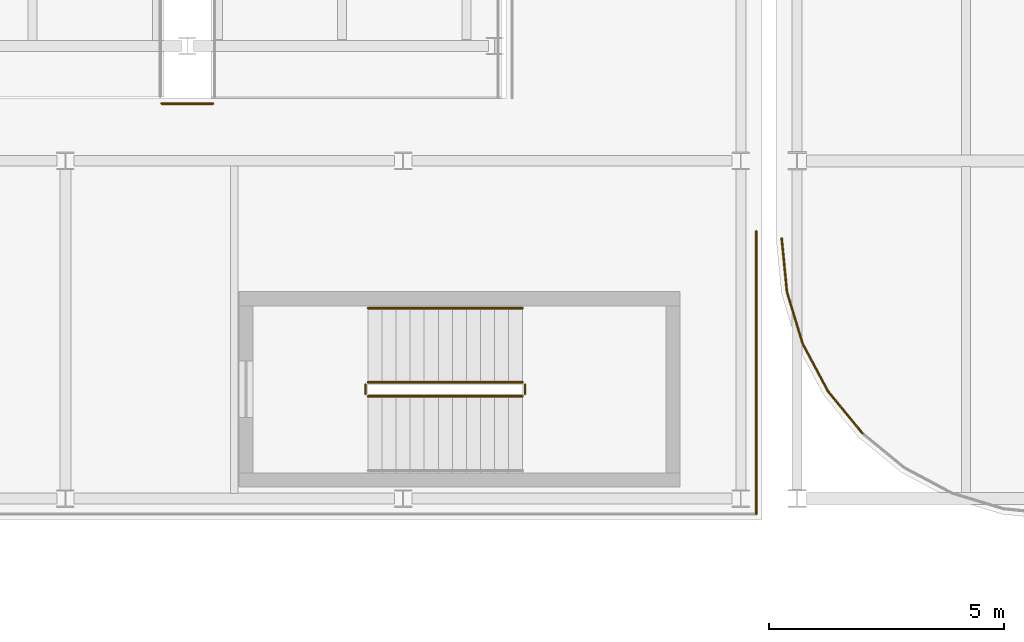
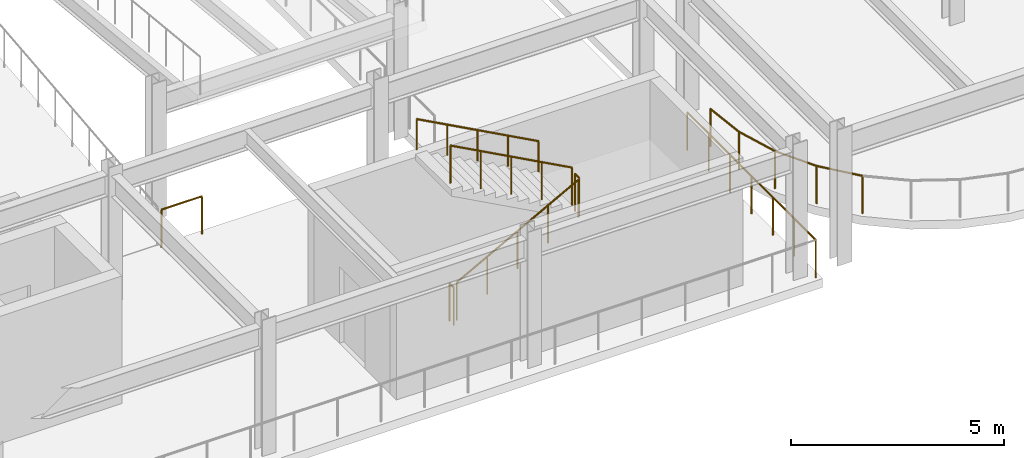
# One storey, part 78 of 93: 11 railings.
"""IFC4 building model written with IfcOpenShell, lengths in metres."""

from ifc_helpers import new_model, si_unit, direction, frame, origin, origin_2d, place, context, subcontext, project, spatial, circle, extrude, material, layer, layer_set, type_object, element, save


model = new_model("IFC4")

# Units and contexts
model_context = context("Model", 3, precision=1e-05, world=origin(), true_north=direction((0.0, 1.0)))
body_context = subcontext(model_context, "Body", "Model", "MODEL_VIEW")
ifc_project = project(units=[si_unit("LENGTHUNIT", "METRE"), si_unit("AREAUNIT", "SQUARE_METRE"), si_unit("VOLUMEUNIT", "CUBIC_METRE"), si_unit("PLANEANGLEUNIT", "RADIAN"), si_unit("MASSUNIT", "GRAM", prefix="KILO")], contexts=[model_context])

# Site, building, storey
site_placement = place(None, origin())
site = spatial("IfcSite", under=ifc_project, at=site_placement, CompositionType="ELEMENT")
building_placement = place(site_placement, origin())
building = spatial("IfcBuilding", under=site, at=building_placement, Name="Vaelcorin Mobility Hub", CompositionType="ELEMENT")
storey_placement = place(building_placement, frame((0.0, 0.0, 5.39990234375)))
storey = spatial("IfcBuildingStorey", under=building, at=storey_placement, Name="L01", CompositionType="ELEMENT", Elevation=5.39990234375)

# Railings
ifc_material_1 = material(Name="Galvanised structural steel ASTM A36", Category="steel")
ifc_layer_1 = layer(ifc_material_1, 0.070068359375)
ifc_layer_set_1 = layer_set([ifc_layer_1], Name="Galvanised structural steel ASTM A36")
railing_type_1 = type_object("IfcRailingType", Name="RL-GUARD-1100", PredefinedType="BALUSTRADE", material=ifc_layer_set_1)
railing_1_placement = place(storey_placement, frame((35.669921875, 82.35009765625, 0.0)))
element("IfcRailing", 1, at=railing_1_placement, inside=storey, type_object=railing_type_1, Name="L01 Perimeter Guard GR-V4-L01-S-01-01", PredefinedType="BALUSTRADE", context=body_context, shape_type="SweptSolid", body=[
    extrude(circle(Radius=0.02392578125, at=origin_2d()), frame((0.0, 0.0, 1.076171875), z_axis=(0.098056761291, -0.995180823552, 0.0), x_axis=(0.995180823552, 0.098056761291, 0.0)), (0.0, 0.0, 1.0), 1.15283203125),
    extrude(circle(Radius=0.02099609375, at=origin_2d()), origin(), (0.0, 0.0, 1.0), 1.052001953125),
    extrude(circle(Radius=0.02099609375, at=origin_2d()), frame((0.113037109375, -1.147216796875, 0.0)), (0.0, 0.0, 1.0), 1.052001953125),
])
railing_2_placement = place(storey_placement, frame((35.782958984375, 81.202880859375, 0.0)))
element("IfcRailing", 2, at=railing_2_placement, inside=storey, type_object=railing_type_1, Name="L01 Perimeter Guard GR-V4-L01-S-01-02", PredefinedType="BALUSTRADE", context=body_context, shape_type="SweptSolid", body=[
    extrude(circle(Radius=0.02392578125, at=origin_2d()), frame((0.0, 0.0, 1.076171875), z_axis=(0.290630530394, -0.956835354073, 0.0), x_axis=(0.956835354073, 0.290630530394, 0.0)), (0.0, 0.0, 1.0), 1.152587890625),
    extrude(circle(Radius=0.02099609375, at=origin_2d()), origin(), (0.0, 0.0, 1.0), 1.052001953125),
    extrude(circle(Radius=0.02099609375, at=origin_2d()), frame((0.3349609375, -1.102783203125, 0.0)), (0.0, 0.0, 1.0), 1.052001953125),
])
railing_3_placement = place(storey_placement, frame((36.117919921875, 80.10009765625, 0.0)))
element("IfcRailing", 3, at=railing_3_placement, inside=storey, type_object=railing_type_1, Name="L01 Perimeter Guard GR-V4-L01-S-01-03", PredefinedType="BALUSTRADE", context=body_context, shape_type="SweptSolid", body=[
    extrude(circle(Radius=0.02392578125, at=origin_2d()), frame((0.0, 0.0, 1.076171875), z_axis=(0.470939899312, -0.882165297003, 0.0), x_axis=(0.882165297003, 0.470939899312, 0.0)), (0.0, 0.0, 1.0), 1.15283203125),
    extrude(circle(Radius=0.02099609375, at=origin_2d()), origin(), (0.0, 0.0, 1.0), 1.052001953125),
    extrude(circle(Radius=0.02099609375, at=origin_2d()), frame((0.54296875, -1.01708984375, 0.0)), (0.0, 0.0, 1.0), 1.052001953125),
])
railing_4_placement = place(storey_placement, frame((36.660888671875, 79.0830078125, 0.0)))
element("IfcRailing", 4, at=railing_4_placement, inside=storey, type_object=railing_type_1, Name="L01 Perimeter Guard GR-V4-L01-S-01-04", PredefinedType="BALUSTRADE", context=body_context, shape_type="SweptSolid", body=[
    extrude(circle(Radius=0.02392578125, at=origin_2d()), frame((0.0, 0.0, 1.076171875), z_axis=(0.63433283962, -0.773060054963, 0.0), x_axis=(0.773060054963, 0.63433283962, 0.0)), (0.0, 0.0, 1.0), 1.152587890625),
    extrude(circle(Radius=0.02099609375, at=origin_2d()), origin(), (0.0, 0.0, 1.0), 1.052001953125),
    extrude(circle(Radius=0.02099609375, at=origin_2d()), frame((0.731201171875, -0.89111328125, 0.0)), (0.0, 0.0, 1.0), 1.052001953125),
])
railing_5_placement = place(storey_placement, frame((22.449951171875, 85.219970703125, 0.0)))
element("IfcRailing", 5, at=railing_5_placement, inside=storey, type_object=railing_type_1, Name="L01 Perimeter Guard GR-V2W-L01-WELL-MED-01", PredefinedType="BALUSTRADE", context=body_context, shape_type="SweptSolid", body=[
    extrude(circle(Radius=0.02392578125, at=origin_2d()), frame((0.0, 0.0, 1.076171875), z_axis=(1.0, 0.0, 0.0), x_axis=(0.0, 1.0, 0.0)), (0.0, 0.0, 1.0), 1.10009765625),
    extrude(circle(Radius=0.02099609375, at=origin_2d()), origin(), (0.0, 0.0, 1.0), 1.052001953125),
    extrude(circle(Radius=0.02099609375, at=origin_2d()), frame((1.10009765625, 0.0, 0.0)), (0.0, 0.0, 1.0), 1.052001953125),
])
railing_6_placement = place(storey_placement, frame((35.1298828125, 82.5, 0.0)))
element("IfcRailing", 6, at=railing_6_placement, inside=storey, type_object=railing_type_1, Name="L01 Perimeter Guard GR-V2W-L01-01", PredefinedType="BALUSTRADE", context=body_context, shape_type="SweptSolid", body=[
    extrude(circle(Radius=0.02392578125, at=origin_2d()), frame((0.0, 0.0, 1.076171875), z_axis=(0.0, -1.0, 0.0), x_axis=(1.0, 0.0, 0.0)), (0.0, 0.0, 1.0), 6.030029296875),
    extrude(circle(Radius=0.02099609375, at=origin_2d()), origin(), (0.0, 0.0, 1.0), 1.052001953125),
    extrude(circle(Radius=0.02099609375, at=origin_2d()), frame((0.0, -1.0048828125, 0.0)), (0.0, 0.0, 1.0), 1.052001953125),
    extrude(circle(Radius=0.02099609375, at=origin_2d()), frame((0.0, -2.010009765625, 0.0)), (0.0, 0.0, 1.0), 1.052001953125),
    extrude(circle(Radius=0.02099609375, at=origin_2d()), frame((0.0, -3.01513671875, 0.0)), (0.0, 0.0, 1.0), 1.052001953125),
    extrude(circle(Radius=0.02099609375, at=origin_2d()), frame((0.0, -4.02001953125, 0.0)), (0.0, 0.0, 1.0), 1.052001953125),
    extrude(circle(Radius=0.02099609375, at=origin_2d()), frame((0.0, -5.02490234375, 0.0)), (0.0, 0.0, 1.0), 1.052001953125),
    extrude(circle(Radius=0.02099609375, at=origin_2d()), frame((0.0, -6.030029296875, 0.0)), (0.0, 0.0, 1.0), 1.052001953125),
])
ifc_material_2 = material(Name="Brushed stainless steel 316L", Category="steel")
ifc_layer_2 = layer(ifc_material_2, 0.048095703125)
ifc_layer_set_2 = layer_set([ifc_layer_2], Name="Brushed stainless steel 316L")
railing_type_2 = type_object("IfcRailingType", Name="RL-STAIR-GRD", PredefinedType="GUARDRAIL", material=ifc_layer_set_2)
railing_7_placement = place(storey_placement, frame((26.85009765625, 78.97998046875, 0.16259765625)))
element("IfcRailing", 7, at=railing_7_placement, inside=storey, type_object=railing_type_2, Name="L01 ST1 stair guard 1", PredefinedType="GUARDRAIL", context=body_context, shape_type="SweptSolid", body=[
    extrude(circle(Radius=0.02392578125, at=origin_2d()), frame((0.0, 0.0, 1.076171875), z_axis=(0.879269262144, 0.0, 0.476325061958), x_axis=(0.0, 1.0, 0.0)), (0.0, 0.0, 1.0), 3.7529296875),
    extrude(circle(Radius=0.02099609375, at=origin_2d()), origin(), (0.0, 0.0, 1.0), 1.052001953125),
    extrude(circle(Radius=0.02099609375, at=origin_2d()), frame((0.824951171875, 0.0, 0.44677734375)), (0.0, 0.0, 1.0), 1.052001953125),
    extrude(circle(Radius=0.02099609375, at=origin_2d()), frame((1.64990234375, 0.0, 0.893798828125)), (0.0, 0.0, 1.0), 1.052001953125),
    extrude(circle(Radius=0.02099609375, at=origin_2d()), frame((2.474853515625, 0.0, 1.3408203125)), (0.0, 0.0, 1.0), 1.052001953125),
    extrude(circle(Radius=0.02099609375, at=origin_2d()), frame((3.2998046875, 0.0, 1.78759765625)), (0.0, 0.0, 1.0), 1.052001953125),
])
railing_8_placement = place(storey_placement, frame((30.199951171875, 79.030029296875, 1.9501953125)))
element("IfcRailing", 8, at=railing_8_placement, inside=storey, type_object=railing_type_2, Name="L01 ST1 stair guard 2", PredefinedType="GUARDRAIL", context=body_context, shape_type="SweptSolid", body=[
    extrude(circle(Radius=0.02392578125, at=origin_2d()), frame((0.0, 0.0, 1.076171875), z_axis=(0.0, 1.0, 0.0), x_axis=(-1.0, 0.0, 0.0)), (0.0, 0.0, 1.0), 0.199951171875),
    extrude(circle(Radius=0.02099609375, at=origin_2d()), origin(), (0.0, 0.0, 1.0), 1.052001953125),
    extrude(circle(Radius=0.02099609375, at=origin_2d()), frame((0.0, 0.199951171875, 0.0)), (0.0, 0.0, 1.0), 1.052001953125),
])
railing_9_placement = place(storey_placement, frame((30.14990234375, 79.280029296875, 2.112548828125)))
element("IfcRailing", 9, at=railing_9_placement, inside=storey, type_object=railing_type_2, Name="L01 ST1 stair guard 3", PredefinedType="GUARDRAIL", context=body_context, shape_type="SweptSolid", body=[
    extrude(circle(Radius=0.02392578125, at=origin_2d()), frame((0.0, 0.0, 1.076171875), z_axis=(-0.879269262144, 0.0, 0.476325061958), x_axis=(0.0, -1.0, 0.0)), (0.0, 0.0, 1.0), 3.7529296875),
    extrude(circle(Radius=0.02099609375, at=origin_2d()), origin(), (0.0, 0.0, 1.0), 1.052001953125),
    extrude(circle(Radius=0.02099609375, at=origin_2d()), frame((-0.824951171875, 0.0, 0.44677734375)), (0.0, 0.0, 1.0), 1.052001953125),
    extrude(circle(Radius=0.02099609375, at=origin_2d()), frame((-1.64990234375, 0.0, 0.893798828125)), (0.0, 0.0, 1.0), 1.052001953125),
    extrude(circle(Radius=0.02099609375, at=origin_2d()), frame((-2.474853515625, 0.0, 1.3408203125)), (0.0, 0.0, 1.0), 1.052001953125),
    extrude(circle(Radius=0.02099609375, at=origin_2d()), frame((-3.2998046875, 0.0, 1.78759765625)), (0.0, 0.0, 1.0), 1.052001953125),
])
railing_10_placement = place(storey_placement, frame((26.800048828125, 79.030029296875, 0.0)))
element("IfcRailing", 10, at=railing_10_placement, inside=storey, type_object=railing_type_2, Name="L01 ST1 stair guard 4", PredefinedType="GUARDRAIL", context=body_context, shape_type="SweptSolid", body=[
    extrude(circle(Radius=0.02392578125, at=origin_2d()), frame((0.0, 0.0, 1.076171875), z_axis=(0.0, 1.0, 0.0), x_axis=(-1.0, 0.0, 0.0)), (0.0, 0.0, 1.0), 0.199951171875),
    extrude(circle(Radius=0.02099609375, at=origin_2d()), origin(), (0.0, 0.0, 1.0), 1.052001953125),
    extrude(circle(Radius=0.02099609375, at=origin_2d()), frame((0.0, 0.199951171875, 0.0)), (0.0, 0.0, 1.0), 1.052001953125),
])
ifc_layer_3 = layer(ifc_material_2, 0.048095703125)
ifc_layer_set_3 = layer_set([ifc_layer_3], Name="Brushed stainless steel 316L")
railing_type_3 = type_object("IfcRailingType", Name="RL-STAIR-HR", PredefinedType="HANDRAIL", material=ifc_layer_set_3)
railing_11_placement = place(storey_placement, frame((30.14990234375, 80.860107421875, 2.112548828125)))
element("IfcRailing", 11, at=railing_11_placement, inside=storey, type_object=railing_type_3, Name="L01 ST1 stair handrail 2", PredefinedType="HANDRAIL", context=body_context, shape_type="SweptSolid", body=[
    extrude(circle(Radius=0.02392578125, at=origin_2d()), frame((0.0, 0.0, 0.8759765625), z_axis=(-0.879269262144, 0.0, 0.476325061958), x_axis=(0.0, -1.0, 0.0)), (0.0, 0.0, 1.0), 3.7529296875),
    extrude(circle(Radius=0.02099609375, at=origin_2d()), origin(), (0.0, 0.0, 1.0), 0.851806640625),
    extrude(circle(Radius=0.02099609375, at=origin_2d()), frame((-0.824951171875, 0.0, 0.44677734375)), (0.0, 0.0, 1.0), 0.851806640625),
    extrude(circle(Radius=0.02099609375, at=origin_2d()), frame((-1.64990234375, 0.0, 0.893798828125)), (0.0, 0.0, 1.0), 0.851806640625),
    extrude(circle(Radius=0.02099609375, at=origin_2d()), frame((-2.474853515625, 0.0, 1.3408203125)), (0.0, 0.0, 1.0), 0.851806640625),
    extrude(circle(Radius=0.02099609375, at=origin_2d()), frame((-3.2998046875, 0.0, 1.78759765625)), (0.0, 0.0, 1.0), 0.851806640625),
])

save(model, "model.ifc")
